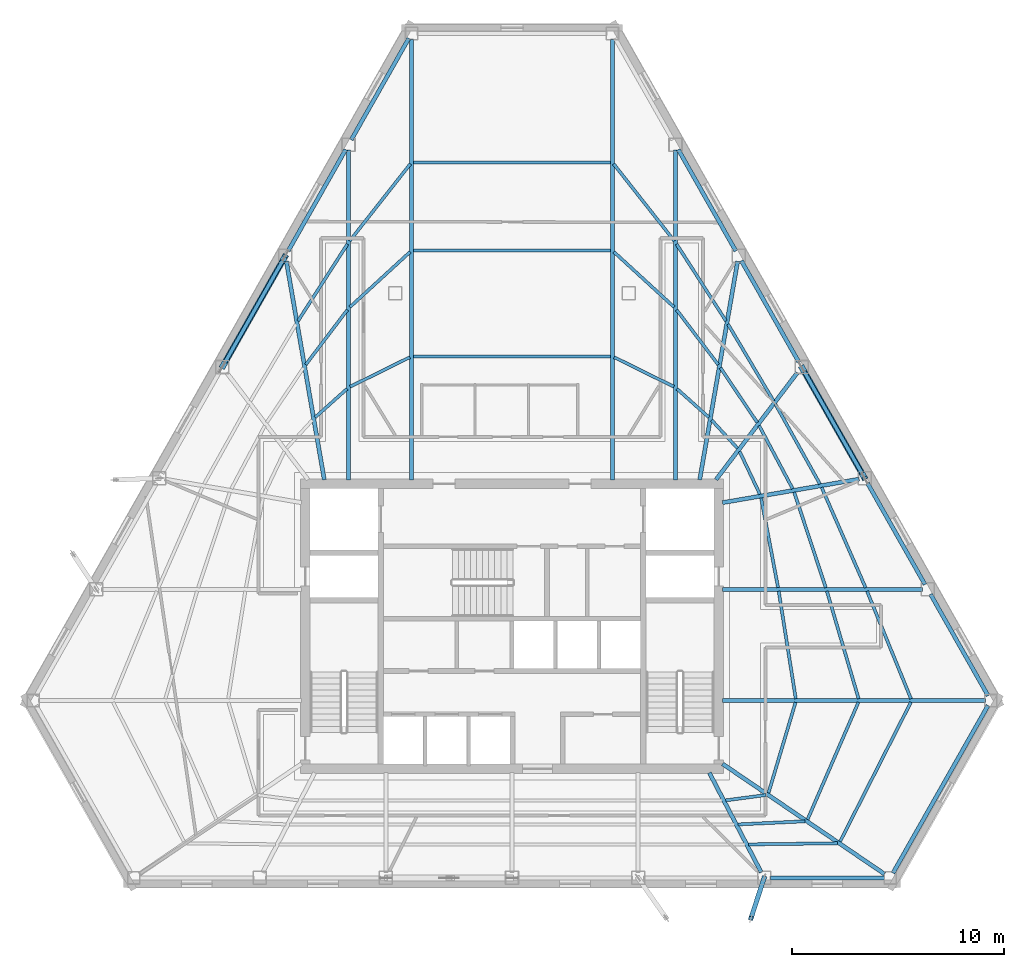
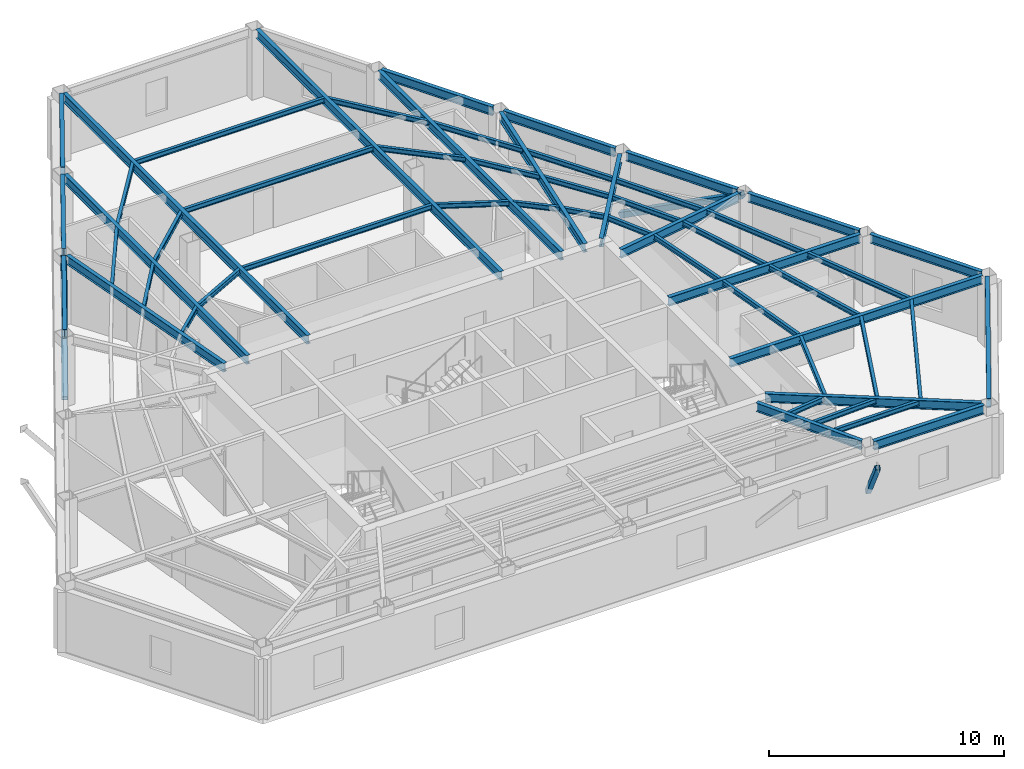
# One storey, part 2 of 11: 55 beams, 3 members.
"""IFC4 building model written with IfcOpenShell, lengths in metres."""

from ifc_helpers import new_model, si_unit, direction, frame, origin, origin_2d, place, context, subcontext, project, spatial, hollow_rectangle, i_section, extrude, material, material_profile, profile_set, type_object, element, save


model = new_model("IFC4")

# Units and contexts
model_context = context("Model", 3, precision=1e-05, world=origin(), true_north=direction((0.0, 1.0)))
body_context = subcontext(model_context, "Body", "Model", "MODEL_VIEW")
ifc_project = project(units=[si_unit("LENGTHUNIT", "METRE"), si_unit("AREAUNIT", "SQUARE_METRE"), si_unit("VOLUMEUNIT", "CUBIC_METRE"), si_unit("PLANEANGLEUNIT", "RADIAN"), si_unit("MASSUNIT", "GRAM", prefix="KILO")], contexts=[model_context])

# Site, building, storey
site_placement = place(None, origin())
site = spatial("IfcSite", under=ifc_project, at=site_placement, CompositionType="ELEMENT")
building_placement = place(site_placement, origin())
building = spatial("IfcBuilding", under=site, at=building_placement, Name="Kavelnor Concourse Tower", CompositionType="ELEMENT")
storey_placement = place(building_placement, frame((0.0, 0.0, 165.0)))
storey = spatial("IfcBuildingStorey", under=building, at=storey_placement, Name="L41", CompositionType="ELEMENT", Elevation=165.0)

# Beams
ifc_material = material(Name="Steel Grade 350", Category="steel")
ifc_material_profile_1 = material_profile(ifc_material, i_section(OverallWidth=0.14599609375, OverallDepth=0.256103515625, WebThickness=0.00634765625, FlangeThickness=0.010986328125, at=origin_2d()), Name="250UB37")
ifc_profile_set_1 = profile_set([ifc_material_profile_1], Name="Steel Grade 350")
beam_type_1 = type_object("IfcBeamType", Name="BM-JOIST-250", PredefinedType="JOIST", material=ifc_profile_set_1)
beam_1_placement = place(storey_placement, frame((48.072998046875, 7.892578125, 3.471923828125), z_axis=(0.991312131722, 0.131530443244, 0.0), x_axis=(-0.131530443244, 0.991312131722, 0.0)))
element("IfcBeam", 1, at=beam_1_placement, inside=storey, type_object=beam_type_1, Name="L41 Secondary Composite Joist 07-1", PredefinedType="JOIST", context=body_context, shape_type="SweptSolid", body=[
    extrude(i_section(OverallWidth=0.14599609375, OverallDepth=0.256103515625, WebThickness=0.00634765625, FlangeThickness=0.010986328125, at=origin_2d()), origin(), (0.0, 0.0, 1.0), 1.919189453125),
])
beam_2_placement = place(storey_placement, frame((48.660888671875, 6.758544921875, 3.471923828125), z_axis=(0.998895853612, 0.046979502312, 0.0), x_axis=(-0.046979502312, 0.998895853612, 0.0)))
element("IfcBeam", 2, at=beam_2_placement, inside=storey, type_object=beam_type_1, Name="L41 Secondary Composite Joist 07-2", PredefinedType="JOIST", context=body_context, shape_type="SweptSolid", body=[
    extrude(i_section(OverallWidth=0.14599609375, OverallDepth=0.256103515625, WebThickness=0.00634765625, FlangeThickness=0.010986328125, at=origin_2d()), origin(), (0.0, 0.0, 1.0), 3.149169921875),
])
beam_3_placement = place(storey_placement, frame((49.150146484375, 5.816650390625, 3.471923828125), z_axis=(0.999916062807, 0.012956362922, 0.0), x_axis=(-0.012956362922, 0.999916062807, 0.0)))
element("IfcBeam", 3, at=beam_3_placement, inside=storey, type_object=beam_type_1, Name="L41 Secondary Composite Joist 07-3", PredefinedType="JOIST", context=body_context, shape_type="SweptSolid", body=[
    extrude(i_section(OverallWidth=0.14599609375, OverallDepth=0.256103515625, WebThickness=0.00634765625, FlangeThickness=0.010986328125, at=origin_2d()), origin(), (0.0, 0.0, 1.0), 4.18310546875),
])
beam_4_placement = place(storey_placement, frame((50.08935546875, 8.2421875, 3.471923828125), z_axis=(0.285934895929, 0.95824904659, 0.0), x_axis=(-0.95824904659, 0.285934895929, 0.0)))
element("IfcBeam", 4, at=beam_4_placement, inside=storey, type_object=beam_type_1, Name="L41 Secondary Composite Joist 08-1", PredefinedType="JOIST", context=body_context, shape_type="SweptSolid", body=[
    extrude(i_section(OverallWidth=0.14599609375, OverallDepth=0.256103515625, WebThickness=0.00634765625, FlangeThickness=0.010986328125, at=origin_2d()), origin(), (0.0, 0.0, 1.0), 4.455322265625),
])
beam_5_placement = place(storey_placement, frame((51.930908203125, 6.9921875, 3.471923828125), z_axis=(0.397934059699, 0.917414020021, 0.0), x_axis=(-0.917414020021, 0.397934059699, 0.0)))
element("IfcBeam", 5, at=beam_5_placement, inside=storey, type_object=beam_type_1, Name="L41 Secondary Composite Joist 08-2", PredefinedType="JOIST", context=body_context, shape_type="SweptSolid", body=[
    extrude(i_section(OverallWidth=0.14599609375, OverallDepth=0.256103515625, WebThickness=0.00634765625, FlangeThickness=0.010986328125, at=origin_2d()), origin(), (0.0, 0.0, 1.0), 6.019775390625),
])
beam_6_placement = place(storey_placement, frame((53.46240234375, 5.951416015625, 3.471923828125), z_axis=(0.453064531661, 0.891477722745, 0.0), x_axis=(-0.891477722745, 0.453064531661, 0.0)))
element("IfcBeam", 6, at=beam_6_placement, inside=storey, type_object=beam_type_1, Name="L41 Secondary Composite Joist 08-3", PredefinedType="JOIST", context=body_context, shape_type="SweptSolid", body=[
    extrude(i_section(OverallWidth=0.14599609375, OverallDepth=0.256103515625, WebThickness=0.00634765625, FlangeThickness=0.010986328125, at=origin_2d()), origin(), (0.0, 0.0, 1.0), 7.365234375),
])
beam_7_placement = place(storey_placement, frame((51.374755859375, 12.6845703125, 3.471923828125), z_axis=(-0.156889182444, 0.987616213127, 0.0), x_axis=(-0.987616213127, -0.156889182444, 0.0)))
element("IfcBeam", 7, at=beam_7_placement, inside=storey, type_object=beam_type_1, Name="L41 Secondary Composite Joist 09-1", PredefinedType="JOIST", context=body_context, shape_type="SweptSolid", body=[
    extrude(i_section(OverallWidth=0.14599609375, OverallDepth=0.256103515625, WebThickness=0.00634765625, FlangeThickness=0.010986328125, at=origin_2d()), origin(), (0.0, 0.0, 1.0), 5.12744140625),
])
beam_8_placement = place(storey_placement, frame((54.336669921875, 12.68212890625, 3.471923828125), z_axis=(-0.28291157307, 0.959145996094, 0.0), x_axis=(-0.959145996094, -0.28291157307, 0.0)))
element("IfcBeam", 8, at=beam_8_placement, inside=storey, type_object=beam_type_1, Name="L41 Secondary Composite Joist 09-2", PredefinedType="JOIST", context=body_context, shape_type="SweptSolid", body=[
    extrude(i_section(OverallWidth=0.14599609375, OverallDepth=0.256103515625, WebThickness=0.00634765625, FlangeThickness=0.010986328125, at=origin_2d()), origin(), (0.0, 0.0, 1.0), 5.28466796875),
])
beam_9_placement = place(storey_placement, frame((56.805908203125, 12.67919921875, 3.471923828125), z_axis=(-0.378122933026, 0.925755392919, 0.0), x_axis=(-0.925755392919, -0.378122933026, 0.0)))
element("IfcBeam", 9, at=beam_9_placement, inside=storey, type_object=beam_type_1, Name="L41 Secondary Composite Joist 09-3", PredefinedType="JOIST", context=body_context, shape_type="SweptSolid", body=[
    extrude(i_section(OverallWidth=0.14599609375, OverallDepth=0.256103515625, WebThickness=0.00634765625, FlangeThickness=0.010986328125, at=origin_2d()), origin(), (0.0, 0.0, 1.0), 5.481689453125),
])
beam_10_placement = place(storey_placement, frame((50.539794921875, 17.923828125, 3.471923828125), z_axis=(-0.185835335583, 0.982580901529, 0.0), x_axis=(-0.982580901529, -0.185835335583, 0.0)))
element("IfcBeam", 10, at=beam_10_placement, inside=storey, type_object=beam_type_1, Name="L41 Secondary Composite Joist 10-1", PredefinedType="JOIST", context=body_context, shape_type="SweptSolid", body=[
    extrude(i_section(OverallWidth=0.14599609375, OverallDepth=0.256103515625, WebThickness=0.00634765625, FlangeThickness=0.010986328125, at=origin_2d()), origin(), (0.0, 0.0, 1.0), 4.29736328125),
])
beam_11_placement = place(storey_placement, frame((52.788330078125, 17.9208984375, 3.471923828125), z_axis=(-0.314602979618, 0.949223348436, 0.0), x_axis=(-0.949223348436, -0.314602979618, 0.0)))
element("IfcBeam", 11, at=beam_11_placement, inside=storey, type_object=beam_type_1, Name="L41 Secondary Composite Joist 10-2", PredefinedType="JOIST", context=body_context, shape_type="SweptSolid", body=[
    extrude(i_section(OverallWidth=0.14599609375, OverallDepth=0.256103515625, WebThickness=0.00634765625, FlangeThickness=0.010986328125, at=origin_2d()), origin(), (0.0, 0.0, 1.0), 4.734619140625),
])
beam_12_placement = place(storey_placement, frame((54.663818359375, 17.91796875, 3.471923828125), z_axis=(-0.401325598485, 0.915935458425, 0.0), x_axis=(-0.915935458425, -0.401325598485, 0.0)))
element("IfcBeam", 12, at=beam_12_placement, inside=storey, type_object=beam_type_1, Name="L41 Secondary Composite Joist 10-3", PredefinedType="JOIST", context=body_context, shape_type="SweptSolid", body=[
    extrude(i_section(OverallWidth=0.14599609375, OverallDepth=0.256103515625, WebThickness=0.00634765625, FlangeThickness=0.010986328125, at=origin_2d()), origin(), (0.0, 0.0, 1.0), 5.155029296875),
])
beam_13_placement = place(storey_placement, frame((49.686279296875, 22.314208984375, 3.471923828125), z_axis=(-0.428418856414, 0.903580258455, 0.0), x_axis=(-0.903580258455, -0.428418856414, 0.0)))
element("IfcBeam", 13, at=beam_13_placement, inside=storey, type_object=beam_type_1, Name="L41 Secondary Composite Joist 11-1", PredefinedType="JOIST", context=body_context, shape_type="SweptSolid", body=[
    extrude(i_section(OverallWidth=0.14599609375, OverallDepth=0.256103515625, WebThickness=0.00634765625, FlangeThickness=0.010986328125, at=origin_2d()), origin(), (0.0, 0.0, 1.0), 2.24072265625),
])
beam_14_placement = place(storey_placement, frame((51.22900390625, 22.578125, 3.471923828125), z_axis=(-0.469273675568, 0.883052782918, 0.0), x_axis=(-0.883052782918, -0.469273675568, 0.0)))
element("IfcBeam", 14, at=beam_14_placement, inside=storey, type_object=beam_type_1, Name="L41 Secondary Composite Joist 11-2", PredefinedType="JOIST", context=body_context, shape_type="SweptSolid", body=[
    extrude(i_section(OverallWidth=0.14599609375, OverallDepth=0.256103515625, WebThickness=0.00634765625, FlangeThickness=0.010986328125, at=origin_2d()), origin(), (0.0, 0.0, 1.0), 3.365478515625),
])
beam_15_placement = place(storey_placement, frame((52.515869140625, 22.798828125, 3.471923828125), z_axis=(-0.487240474477, 0.873267839802, 0.0), x_axis=(-0.873267839802, -0.487240474477, 0.0)))
element("IfcBeam", 15, at=beam_15_placement, inside=storey, type_object=beam_type_1, Name="L41 Secondary Composite Joist 11-3", PredefinedType="JOIST", context=body_context, shape_type="SweptSolid", body=[
    extrude(i_section(OverallWidth=0.14599609375, OverallDepth=0.256103515625, WebThickness=0.00634765625, FlangeThickness=0.010986328125, at=origin_2d()), origin(), (0.0, 0.0, 1.0), 4.3056640625),
])
beam_16_placement = place(storey_placement, frame((48.6279296875, 24.48486328125, 3.471923828125), z_axis=(-0.675638992286, 0.737232630927, 0.0), x_axis=(-0.737232630927, -0.675638992286, 0.0)))
element("IfcBeam", 16, at=beam_16_placement, inside=storey, type_object=beam_type_1, Name="L41 Secondary Composite Joist 12-1", PredefinedType="JOIST", context=body_context, shape_type="SweptSolid", body=[
    extrude(i_section(OverallWidth=0.14599609375, OverallDepth=0.256103515625, WebThickness=0.00634765625, FlangeThickness=0.010986328125, at=origin_2d()), origin(), (0.0, 0.0, 1.0), 1.807373046875),
])
beam_17_placement = place(storey_placement, frame((49.558349609375, 25.702392578125, 3.471923828125), z_axis=(-0.557961189632, 0.829867044089, 0.0), x_axis=(-0.829867044089, -0.557961189632, 0.0)))
element("IfcBeam", 17, at=beam_17_placement, inside=storey, type_object=beam_type_1, Name="L41 Secondary Composite Joist 12-2", PredefinedType="JOIST", context=body_context, shape_type="SweptSolid", body=[
    extrude(i_section(OverallWidth=0.14599609375, OverallDepth=0.256103515625, WebThickness=0.00634765625, FlangeThickness=0.010986328125, at=origin_2d()), origin(), (0.0, 0.0, 1.0), 3.105712890625),
])
beam_18_placement = place(storey_placement, frame((50.3291015625, 26.713134765625, 3.471923828125), z_axis=(-0.510424941442, 0.859922309952, 0.0), x_axis=(-0.859922309952, -0.510424941442, 0.0)))
element("IfcBeam", 18, at=beam_18_placement, inside=storey, type_object=beam_type_1, Name="L41 Secondary Composite Joist 12-3", PredefinedType="JOIST", context=body_context, shape_type="SweptSolid", body=[
    extrude(i_section(OverallWidth=0.14599609375, OverallDepth=0.256103515625, WebThickness=0.00634765625, FlangeThickness=0.010986328125, at=origin_2d()), origin(), (0.0, 0.0, 1.0), 4.212890625),
])
beam_19_placement = place(storey_placement, frame((47.2802734375, 25.9423828125, 3.471923828125), z_axis=(-0.745260261464, 0.666773681757, 0.0), x_axis=(-0.666773681757, -0.745260261464, 0.0)))
element("IfcBeam", 19, at=beam_19_placement, inside=storey, type_object=beam_type_1, Name="L41 Secondary Composite Joist 13-1", PredefinedType="JOIST", context=body_context, shape_type="SweptSolid", body=[
    extrude(i_section(OverallWidth=0.14599609375, OverallDepth=0.256103515625, WebThickness=0.00634765625, FlangeThickness=0.010986328125, at=origin_2d()), origin(), (0.0, 0.0, 1.0), 2.02197265625),
])
beam_20_placement = place(storey_placement, frame((47.721923828125, 28.424560546875, 3.471923828125), z_axis=(-0.604663254577, 0.796481229261, 0.0), x_axis=(-0.796481229261, -0.604663254577, 0.0)))
element("IfcBeam", 20, at=beam_20_placement, inside=storey, type_object=beam_type_1, Name="L41 Secondary Composite Joist 13-2", PredefinedType="JOIST", context=body_context, shape_type="SweptSolid", body=[
    extrude(i_section(OverallWidth=0.14599609375, OverallDepth=0.256103515625, WebThickness=0.00634765625, FlangeThickness=0.010986328125, at=origin_2d()), origin(), (0.0, 0.0, 1.0), 3.242919921875),
])
beam_21_placement = place(storey_placement, frame((48.085205078125, 30.4873046875, 3.471923828125), z_axis=(-0.540852114886, 0.841117702717, 0.0), x_axis=(-0.841117702717, -0.540852114886, 0.0)))
element("IfcBeam", 21, at=beam_21_placement, inside=storey, type_object=beam_type_1, Name="L41 Secondary Composite Joist 13-3", PredefinedType="JOIST", context=body_context, shape_type="SweptSolid", body=[
    extrude(i_section(OverallWidth=0.14599609375, OverallDepth=0.256103515625, WebThickness=0.00634765625, FlangeThickness=0.010986328125, at=origin_2d()), origin(), (0.0, 0.0, 1.0), 4.3076171875),
])
beam_22_placement = place(storey_placement, frame((45.62744140625, 27.389404296875, 3.471923828125), z_axis=(-0.896734637734, 0.442568626869, 0.0), x_axis=(-0.442568626869, -0.896734637734, 0.0)))
element("IfcBeam", 22, at=beam_22_placement, inside=storey, type_object=beam_type_1, Name="L41 Secondary Composite Joist 14-1", PredefinedType="JOIST", context=body_context, shape_type="SweptSolid", body=[
    extrude(i_section(OverallWidth=0.14599609375, OverallDepth=0.256103515625, WebThickness=0.00634765625, FlangeThickness=0.010986328125, at=origin_2d()), origin(), (0.0, 0.0, 1.0), 3.13671875),
])
beam_23_placement = place(storey_placement, frame((45.6416015625, 31.138427734375, 3.471923828125), z_axis=(-0.737130475504, 0.675750443643, 0.0), x_axis=(-0.675750443643, -0.737130475504, 0.0)))
element("IfcBeam", 23, at=beam_23_placement, inside=storey, type_object=beam_type_1, Name="L41 Secondary Composite Joist 14-2", PredefinedType="JOIST", context=body_context, shape_type="SweptSolid", body=[
    extrude(i_section(OverallWidth=0.14599609375, OverallDepth=0.256103515625, WebThickness=0.00634765625, FlangeThickness=0.010986328125, at=origin_2d()), origin(), (0.0, 0.0, 1.0), 3.854248046875),
])
beam_24_placement = place(storey_placement, frame((45.652099609375, 34.25537109375, 3.471923828125), z_axis=(-0.6188514994, 0.785508002309, 0.0), x_axis=(-0.785508002309, -0.6188514994, 0.0)))
element("IfcBeam", 24, at=beam_24_placement, inside=storey, type_object=beam_type_1, Name="L41 Secondary Composite Joist 14-3", PredefinedType="JOIST", context=body_context, shape_type="SweptSolid", body=[
    extrude(i_section(OverallWidth=0.14599609375, OverallDepth=0.256103515625, WebThickness=0.00634765625, FlangeThickness=0.010986328125, at=origin_2d()), origin(), (0.0, 0.0, 1.0), 4.624755859375),
])
for number, where, z_axis, x_axis, name in (
    (25, (42.64599609375, 28.81689453125, 3.471923828125), (-1.0, 0.0, 0.0), (0.0, -1.0, 0.0), "L41 Secondary Composite Joist 15-1"),
    (26, (42.64599609375, 33.802978515625, 3.471923828125), (-1.0, 0.0, 0.0), (0.0, -1.0, 0.0), "L41 Secondary Composite Joist 15-2"),
    (27, (42.64599609375, 37.9580078125, 3.471923828125), (-1.0, 0.0, 0.0), (0.0, -1.0, 0.0), "L41 Secondary Composite Joist 15-3"),
):
    element("IfcBeam", number, at=place(storey_placement, frame(where, z_axis=z_axis, x_axis=x_axis)), inside=storey, type_object=beam_type_1, Name=name, PredefinedType="JOIST", context=body_context, shape_type="SweptSolid", body=[
        extrude(i_section(OverallWidth=0.14599609375, OverallDepth=0.256103515625, WebThickness=0.00634765625, FlangeThickness=0.010986328125, at=origin_2d()), origin(), (0.0, 0.0, 1.0), 9.2919921875),
    ])
beam_25_placement = place(storey_placement, frame((33.185302734375, 28.777587890625, 3.471923828125), z_axis=(-0.896734637734, -0.442568626869, 0.0), x_axis=(0.442568626869, -0.896734637734, 0.0)))
element("IfcBeam", 28, at=beam_25_placement, inside=storey, type_object=beam_type_1, Name="L41 Secondary Composite Joist 16-1", PredefinedType="JOIST", context=body_context, shape_type="SweptSolid", body=[
    extrude(i_section(OverallWidth=0.14599609375, OverallDepth=0.256103515625, WebThickness=0.00634765625, FlangeThickness=0.010986328125, at=origin_2d()), origin(), (0.0, 0.0, 1.0), 3.13671875),
])
beam_26_placement = place(storey_placement, frame((33.199462890625, 33.742919921875, 3.471923828125), z_axis=(-0.737130475504, -0.675750443643, 0.0), x_axis=(0.675750443643, -0.737130475504, 0.0)))
element("IfcBeam", 29, at=beam_26_placement, inside=storey, type_object=beam_type_1, Name="L41 Secondary Composite Joist 16-2", PredefinedType="JOIST", context=body_context, shape_type="SweptSolid", body=[
    extrude(i_section(OverallWidth=0.14599609375, OverallDepth=0.256103515625, WebThickness=0.00634765625, FlangeThickness=0.010986328125, at=origin_2d()), origin(), (0.0, 0.0, 1.0), 3.854248046875),
])
beam_27_placement = place(storey_placement, frame((33.2099609375, 37.88818359375, 3.471923828125), z_axis=(-0.6188514994, -0.785508002309, 0.0), x_axis=(0.785508002309, -0.6188514994, 0.0)))
element("IfcBeam", 30, at=beam_27_placement, inside=storey, type_object=beam_type_1, Name="L41 Secondary Composite Joist 16-3", PredefinedType="JOIST", context=body_context, shape_type="SweptSolid", body=[
    extrude(i_section(OverallWidth=0.14599609375, OverallDepth=0.256103515625, WebThickness=0.00634765625, FlangeThickness=0.010986328125, at=origin_2d()), origin(), (0.0, 0.0, 1.0), 4.624755859375),
])
beam_28_placement = place(storey_placement, frame((30.2265625, 27.29052734375, 3.471923828125), z_axis=(-0.745260261464, -0.666773681757, 0.0), x_axis=(0.666773681757, -0.745260261464, 0.0)))
element("IfcBeam", 31, at=beam_28_placement, inside=storey, type_object=beam_type_1, Name="L41 Secondary Composite Joist 17-1", PredefinedType="JOIST", context=body_context, shape_type="SweptSolid", body=[
    extrude(i_section(OverallWidth=0.14599609375, OverallDepth=0.256103515625, WebThickness=0.00634765625, FlangeThickness=0.010986328125, at=origin_2d()), origin(), (0.0, 0.0, 1.0), 2.02197265625),
])
beam_29_placement = place(storey_placement, frame((30.239013671875, 31.007568359375, 3.471923828125), z_axis=(-0.604663254577, -0.796481229261, 0.0), x_axis=(0.796481229261, -0.604663254577, 0.0)))
element("IfcBeam", 32, at=beam_29_placement, inside=storey, type_object=beam_type_1, Name="L41 Secondary Composite Joist 17-2", PredefinedType="JOIST", context=body_context, shape_type="SweptSolid", body=[
    extrude(i_section(OverallWidth=0.14599609375, OverallDepth=0.256103515625, WebThickness=0.00634765625, FlangeThickness=0.010986328125, at=origin_2d()), origin(), (0.0, 0.0, 1.0), 3.242919921875),
])
beam_30_placement = place(storey_placement, frame((30.24462890625, 34.110595703125, 3.471923828125), z_axis=(-0.540852114886, -0.841117702717, 0.0), x_axis=(0.841117702717, -0.540852114886, 0.0)))
element("IfcBeam", 33, at=beam_30_placement, inside=storey, type_object=beam_type_1, Name="L41 Secondary Composite Joist 17-3", PredefinedType="JOIST", context=body_context, shape_type="SweptSolid", body=[
    extrude(i_section(OverallWidth=0.14599609375, OverallDepth=0.256103515625, WebThickness=0.00634765625, FlangeThickness=0.010986328125, at=origin_2d()), origin(), (0.0, 0.0, 1.0), 4.3076171875),
])
ifc_material_profile_2 = material_profile(ifc_material, i_section(OverallWidth=0.18994140625, OverallDepth=0.4541015625, WebThickness=0.008544921875, FlangeThickness=0.0126953125, at=origin_2d()), Name="460UB67")
ifc_profile_set_2 = profile_set([ifc_material_profile_2], Name="Steel Grade 350")
beam_type_2 = type_object("IfcBeamType", Name="BM-PRIMARY-460", PredefinedType="BEAM", material=ifc_profile_set_2)
beam_31_placement = place(storey_placement, frame((33.264892578125, 23.0, 3.373046875), z_axis=(0.0, 1.0, 0.0), x_axis=(-1.0, 0.0, 0.0)))
element("IfcBeam", 34, at=beam_31_placement, inside=storey, type_object=beam_type_2, Name="L41 Primary Floor Girder F0-B0", PredefinedType="BEAM", context=body_context, shape_type="SweptSolid", body=[
    extrude(i_section(OverallWidth=0.18994140625, OverallDepth=0.4541015625, WebThickness=0.008544921875, FlangeThickness=0.0126953125, at=origin_2d()), origin(), (0.0, 0.0, 1.0), 20.77490234375),
])
beam_32_placement = place(storey_placement, frame((30.292724609375, 23.0, 3.373046875), z_axis=(0.0, 1.0, 0.0), x_axis=(-1.0, 0.0, 0.0)))
element("IfcBeam", 35, at=beam_32_placement, inside=storey, type_object=beam_type_2, Name="L41 Primary Floor Girder F0-B1", PredefinedType="BEAM", context=body_context, shape_type="SweptSolid", body=[
    extrude(i_section(OverallWidth=0.18994140625, OverallDepth=0.4541015625, WebThickness=0.008544921875, FlangeThickness=0.0126953125, at=origin_2d()), origin(), (0.0, 0.0, 1.0), 15.535400390625),
])
beam_33_placement = place(storey_placement, frame((29.154052734375, 23.00048828125, 3.373046875), z_axis=(-0.171132120788, 0.985248089181, 0.0), x_axis=(-0.985248089181, -0.171132120788, 0.0)))
element("IfcBeam", 36, at=beam_33_placement, inside=storey, type_object=beam_type_2, Name="L41 Primary Floor Girder F0-B2", PredefinedType="BEAM", context=body_context, shape_type="SweptSolid", body=[
    extrude(i_section(OverallWidth=0.18994140625, OverallDepth=0.4541015625, WebThickness=0.008544921875, FlangeThickness=0.0126953125, at=origin_2d()), origin(), (0.0, 0.0, 1.0), 10.448486328125),
])
beam_34_placement = place(storey_placement, frame((47.2998046875, 9.195556640625, 3.373046875), z_axis=(0.462112020334, -0.886821560779, 0.0), x_axis=(0.886821560779, 0.462112020334, 0.0)))
element("IfcBeam", 37, at=beam_34_placement, inside=storey, type_object=beam_type_2, Name="L41 Primary Floor Girder F1-B5", PredefinedType="BEAM", context=body_context, shape_type="SweptSolid", body=[
    extrude(i_section(OverallWidth=0.18994140625, OverallDepth=0.4541015625, WebThickness=0.008544921875, FlangeThickness=0.0126953125, at=origin_2d()), origin(), (0.0, 0.0, 1.0), 5.293701171875),
])
beam_35_placement = place(storey_placement, frame((47.927001953125, 9.61083984375, 3.373046875), z_axis=(0.826784803561, -0.562518345124, 0.0), x_axis=(0.562518345124, 0.826784803561, 0.0)))
element("IfcBeam", 38, at=beam_35_placement, inside=storey, type_object=beam_type_2, Name="L41 Primary Floor Girder F1-B6", PredefinedType="BEAM", context=body_context, shape_type="SweptSolid", body=[
    extrude(i_section(OverallWidth=0.18994140625, OverallDepth=0.4541015625, WebThickness=0.008544921875, FlangeThickness=0.0126953125, at=origin_2d()), origin(), (0.0, 0.0, 1.0), 9.23095703125),
])
beam_36_placement = place(storey_placement, frame((47.919921875, 12.5966796875, 3.373046875), z_axis=(1.0, 0.0, 0.0), x_axis=(0.0, 1.0, 0.0)))
element("IfcBeam", 39, at=beam_36_placement, inside=storey, type_object=beam_type_2, Name="L41 Primary Floor Girder F2-B0", PredefinedType="BEAM", context=body_context, shape_type="SweptSolid", body=[
    extrude(i_section(OverallWidth=0.18994140625, OverallDepth=0.4541015625, WebThickness=0.008544921875, FlangeThickness=0.0126953125, at=origin_2d()), origin(), (0.0, 0.0, 1.0), 12.38818359375),
])
beam_37_placement = place(storey_placement, frame((47.919921875, 17.83642578125, 3.373046875), z_axis=(1.0, 0.0, 0.0), x_axis=(0.0, 1.0, 0.0)))
element("IfcBeam", 40, at=beam_37_placement, inside=storey, type_object=beam_type_2, Name="L41 Primary Floor Girder F2-B1", PredefinedType="BEAM", context=body_context, shape_type="SweptSolid", body=[
    extrude(i_section(OverallWidth=0.18994140625, OverallDepth=0.4541015625, WebThickness=0.008544921875, FlangeThickness=0.0126953125, at=origin_2d()), origin(), (0.0, 0.0, 1.0), 9.416015625),
])
beam_38_placement = place(storey_placement, frame((47.920654296875, 21.923583984375, 3.373046875), z_axis=(0.985540219241, 0.169441660339, 0.0), x_axis=(-0.169441660339, 0.985540219241, 0.0)))
element("IfcBeam", 41, at=beam_38_placement, inside=storey, type_object=beam_type_2, Name="L41 Primary Floor Girder F2-B2", PredefinedType="BEAM", context=body_context, shape_type="SweptSolid", body=[
    extrude(i_section(OverallWidth=0.18994140625, OverallDepth=0.4541015625, WebThickness=0.008544921875, FlangeThickness=0.0126953125, at=origin_2d()), origin(), (0.0, 0.0, 1.0), 6.537109375),
])
beam_39_placement = place(storey_placement, frame((47.614990234375, 23.00830078125, 3.373046875), z_axis=(0.605372632271, 0.795942193942, 0.0), x_axis=(-0.795942193942, 0.605372632271, 0.0)))
element("IfcBeam", 42, at=beam_39_placement, inside=storey, type_object=beam_type_2, Name="L41 Primary Floor Girder F2-B3", PredefinedType="BEAM", context=body_context, shape_type="SweptSolid", body=[
    extrude(i_section(OverallWidth=0.18994140625, OverallDepth=0.4541015625, WebThickness=0.008544921875, FlangeThickness=0.0126953125, at=origin_2d()), origin(), (0.0, 0.0, 1.0), 6.331298828125),
])
beam_40_placement = place(storey_placement, frame((46.845947265625, 23.00048828125, 3.373046875), z_axis=(0.171132120788, 0.985248089181, 0.0), x_axis=(-0.985248089181, 0.171132120788, 0.0)))
element("IfcBeam", 43, at=beam_40_placement, inside=storey, type_object=beam_type_2, Name="L41 Primary Floor Girder F2-B4", PredefinedType="BEAM", context=body_context, shape_type="SweptSolid", body=[
    extrude(i_section(OverallWidth=0.18994140625, OverallDepth=0.4541015625, WebThickness=0.008544921875, FlangeThickness=0.0126953125, at=origin_2d()), origin(), (0.0, 0.0, 1.0), 10.448486328125),
])
beam_41_placement = place(storey_placement, frame((45.707275390625, 23.0, 3.373046875), z_axis=(0.0, 1.0, 0.0), x_axis=(-1.0, 0.0, 0.0)))
element("IfcBeam", 44, at=beam_41_placement, inside=storey, type_object=beam_type_2, Name="L41 Primary Floor Girder F2-B5", PredefinedType="BEAM", context=body_context, shape_type="SweptSolid", body=[
    extrude(i_section(OverallWidth=0.18994140625, OverallDepth=0.4541015625, WebThickness=0.008544921875, FlangeThickness=0.0126953125, at=origin_2d()), origin(), (0.0, 0.0, 1.0), 15.535400390625),
])
beam_42_placement = place(storey_placement, frame((42.735107421875, 23.0, 3.373046875), z_axis=(0.0, 1.0, 0.0), x_axis=(-1.0, 0.0, 0.0)))
element("IfcBeam", 45, at=beam_42_placement, inside=storey, type_object=beam_type_2, Name="L41 Primary Floor Girder F2-B6", PredefinedType="BEAM", context=body_context, shape_type="SweptSolid", body=[
    extrude(i_section(OverallWidth=0.18994140625, OverallDepth=0.4541015625, WebThickness=0.008544921875, FlangeThickness=0.0126953125, at=origin_2d()), origin(), (0.0, 0.0, 1.0), 20.77490234375),
])
ifc_material_profile_3 = material_profile(ifc_material, i_section(OverallWidth=0.19091796875, OverallDepth=0.4599609375, WebThickness=0.010009765625, FlangeThickness=0.01611328125, at=origin_2d()), Name="460UB82")
ifc_profile_set_3 = profile_set([ifc_material_profile_3], Name="Steel Grade 350")
beam_type_3 = type_object("IfcBeamType", Name="BM-SPANDREL-Z3", PredefinedType="SPANDREL", material=ifc_profile_set_3)
for number, where, z_axis, x_axis, name in (
    (46, (33.13427734375, 43.804443359375, 3.3701171875), (-0.493403837577, -0.869800352417, 0.0), (0.869800352417, -0.493403837577, 0.0), "L41 Perimeter Tube Spandrel Beam F0-B0"),
    (47, (30.162109375, 38.564697265625, 3.3701171875), (-0.493403837577, -0.869800352417, 0.0), (0.869800352417, -0.493403837577, 0.0), "L41 Perimeter Tube Spandrel Beam F0-B1"),
):
    element("IfcBeam", number, at=place(storey_placement, frame(where, z_axis=z_axis, x_axis=x_axis)), inside=storey, type_object=beam_type_3, Name=name, PredefinedType="SPANDREL", context=body_context, shape_type="SweptSolid", body=[
        extrude(i_section(OverallWidth=0.19091796875, OverallDepth=0.4599609375, WebThickness=0.010009765625, FlangeThickness=0.01611328125, at=origin_2d()), origin(), (0.0, 0.0, 1.0), 5.493896484375),
    ])
beam_43_placement = place(storey_placement, frame((27.18994140625, 33.3251953125, 3.3701171875), z_axis=(-0.493418385432, -0.869792099825, 0.0), x_axis=(0.869792099825, -0.493418385432, 0.0)))
element("IfcBeam", 48, at=beam_43_placement, inside=storey, type_object=beam_type_3, Name="L41 Perimeter Tube Spandrel Beam F0-B2", PredefinedType="SPANDREL", context=body_context, shape_type="SweptSolid", body=[
    extrude(i_section(OverallWidth=0.19091796875, OverallDepth=0.4599609375, WebThickness=0.010009765625, FlangeThickness=0.01611328125, at=origin_2d()), origin(), (0.0, 0.0, 1.0), 5.494140625),
])
beam_44_placement = place(storey_placement, frame((50.14892578125, 4.236572265625, 3.3701171875), z_axis=(1.0, 0.0, 0.0), x_axis=(0.0, 1.0, 0.0)))
element("IfcBeam", 49, at=beam_44_placement, inside=storey, type_object=beam_type_3, Name="L41 Perimeter Tube Spandrel Beam F1-B5", PredefinedType="SPANDREL", context=body_context, shape_type="SweptSolid", body=[
    extrude(i_section(OverallWidth=0.19091796875, OverallDepth=0.4599609375, WebThickness=0.010009765625, FlangeThickness=0.01611328125, at=origin_2d()), origin(), (0.0, 0.0, 1.0), 5.411865234375),
])
for number, where, z_axis, x_axis, name in (
    (50, (60.4375, 12.8271484375, 3.3701171875), (-0.49338476672, 0.869811170294, 0.0), (-0.869811170294, -0.49338476672, 0.0), "L41 Perimeter Tube Spandrel Beam F2-B0"),
    (51, (57.46533203125, 18.06689453125, 3.3701171875), (-0.493418385432, 0.869792099825, 0.0), (-0.869792099825, -0.493418385432, 0.0), "L41 Perimeter Tube Spandrel Beam F2-B1"),
):
    element("IfcBeam", number, at=place(storey_placement, frame(where, z_axis=z_axis, x_axis=x_axis)), inside=storey, type_object=beam_type_3, Name=name, PredefinedType="SPANDREL", context=body_context, shape_type="SweptSolid", body=[
        extrude(i_section(OverallWidth=0.19091796875, OverallDepth=0.4599609375, WebThickness=0.010009765625, FlangeThickness=0.01611328125, at=origin_2d()), origin(), (0.0, 0.0, 1.0), 5.494140625),
    ])
beam_45_placement = place(storey_placement, frame((54.4931640625, 23.306640625, 3.3701171875), z_axis=(-0.493437456752, 0.86978128071, 0.0), x_axis=(-0.86978128071, -0.493437456752, 0.0)))
element("IfcBeam", 52, at=beam_45_placement, inside=storey, type_object=beam_type_3, Name="L41 Perimeter Tube Spandrel Beam F2-B2", PredefinedType="SPANDREL", context=body_context, shape_type="SweptSolid", body=[
    extrude(i_section(OverallWidth=0.19091796875, OverallDepth=0.4599609375, WebThickness=0.010009765625, FlangeThickness=0.01611328125, at=origin_2d()), origin(), (0.0, 0.0, 1.0), 5.493896484375),
])
beam_46_placement = place(storey_placement, frame((51.52099609375, 28.54638671875, 3.3701171875), z_axis=(-0.493418385432, 0.869792099825, 0.0), x_axis=(-0.869792099825, -0.493418385432, 0.0)))
element("IfcBeam", 53, at=beam_46_placement, inside=storey, type_object=beam_type_3, Name="L41 Perimeter Tube Spandrel Beam F2-B3", PredefinedType="SPANDREL", context=body_context, shape_type="SweptSolid", body=[
    extrude(i_section(OverallWidth=0.19091796875, OverallDepth=0.4599609375, WebThickness=0.010009765625, FlangeThickness=0.01611328125, at=origin_2d()), origin(), (0.0, 0.0, 1.0), 5.494140625),
])
beam_47_placement = place(storey_placement, frame((48.548583984375, 33.7861328125, 3.3701171875), z_axis=(-0.493403837577, 0.869800352417, 0.0), x_axis=(-0.869800352417, -0.493403837577, 0.0)))
element("IfcBeam", 54, at=beam_47_placement, inside=storey, type_object=beam_type_3, Name="L41 Perimeter Tube Spandrel Beam F2-B4", PredefinedType="SPANDREL", context=body_context, shape_type="SweptSolid", body=[
    extrude(i_section(OverallWidth=0.19091796875, OverallDepth=0.4599609375, WebThickness=0.010009765625, FlangeThickness=0.01611328125, at=origin_2d()), origin(), (0.0, 0.0, 1.0), 5.493896484375),
])
beam_48_placement = place(storey_placement, frame((55.95654296875, 4.467041015625, 3.3701171875), z_axis=(0.493409320911, 0.869797241912, 0.0), x_axis=(-0.869797241912, 0.493409320911, 0.0)))
element("IfcBeam", 55, at=beam_48_placement, inside=storey, type_object=beam_type_3, Name="L41 Chamfer Facet Spandrel Beam C2", PredefinedType="SPANDREL", context=body_context, shape_type="SweptSolid", body=[
    extrude(i_section(OverallWidth=0.19091796875, OverallDepth=0.4599609375, WebThickness=0.010009765625, FlangeThickness=0.01611328125, at=origin_2d()), origin(), (0.0, 0.0, 1.0), 9.08154296875),
])

# Members
ifc_material_profile_4 = material_profile(ifc_material, hollow_rectangle(XDim=0.219970703125, YDim=0.219970703125, WallThickness=0.013916015625, at=origin_2d()), Name="SHS 220x220x14")
ifc_profile_set_4 = profile_set([ifc_material_profile_4], Name="Steel Grade 350")
member_type_1 = type_object("IfcMemberType", Name="MBR-BALC-STRUT-220", PredefinedType="STRUT", material=ifc_profile_set_4)
member_placement = place(storey_placement, frame((49.8837890625, 4.236572265625, 1.050048828125), z_axis=(-0.188820998549, -0.578951943584, 0.793196871859), x_axis=(0.950714194413, -0.310068573935, 0.0)))
element("IfcMember", 56, at=member_placement, inside=storey, type_object=member_type_1, Name="L41 Tree Balcony Raking Knee Strut 2-B", PredefinedType="STRUT", context=body_context, shape_type="SweptSolid", body=[
    extrude(hollow_rectangle(XDim=0.219970703125, YDim=0.219970703125, WallThickness=0.013916015625, at=origin_2d()), origin(), (0.0, 0.0, 1.0), 3.2841796875),
])
ifc_material_profile_5 = material_profile(ifc_material, hollow_rectangle(XDim=0.280029296875, YDim=0.280029296875, WallThickness=0.01611328125, at=origin_2d()), Name="SHS 280x280x16")
ifc_profile_set_5 = profile_set([ifc_material_profile_5], Name="Steel Grade 350")
member_type_2 = type_object("IfcMemberType", Name="MBR-TUBE-DIAG-Z3", PredefinedType="BRACE", material=ifc_profile_set_5)
for number, where, z_axis, x_axis, name in (
    (57, (24.348388671875, 28.31591796875, 0.219970703125), (0.437215236672, 0.770783095897, 0.463396434925), (-0.869810024053, 0.493386787477, 0.0), "L41 Framed-Tube Bracing Diagonal F0-B2"),
    (58, (51.651611328125, 28.31591796875, 0.219970703125), (0.437215236672, -0.770783095897, 0.463396434925), (0.869810024053, 0.493386787477, 0.0), "L41 Framed-Tube Bracing Diagonal F2-B2"),
):
    element("IfcMember", number, at=place(storey_placement, frame(where, z_axis=z_axis, x_axis=x_axis)), inside=storey, type_object=member_type_2, Name=name, PredefinedType="BRACE", context=body_context, shape_type="SweptSolid", body=[
        extrude(hollow_rectangle(XDim=0.280029296875, YDim=0.280029296875, WallThickness=0.01611328125, at=origin_2d()), origin(), (0.0, 0.0, 1.0), 6.7978515625),
    ])

save(model, "model.ifc")
